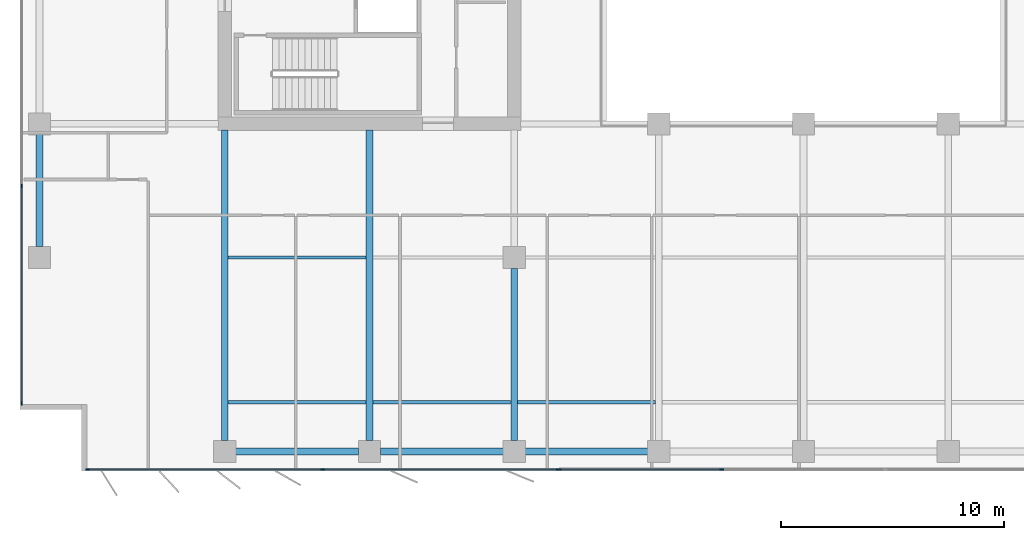
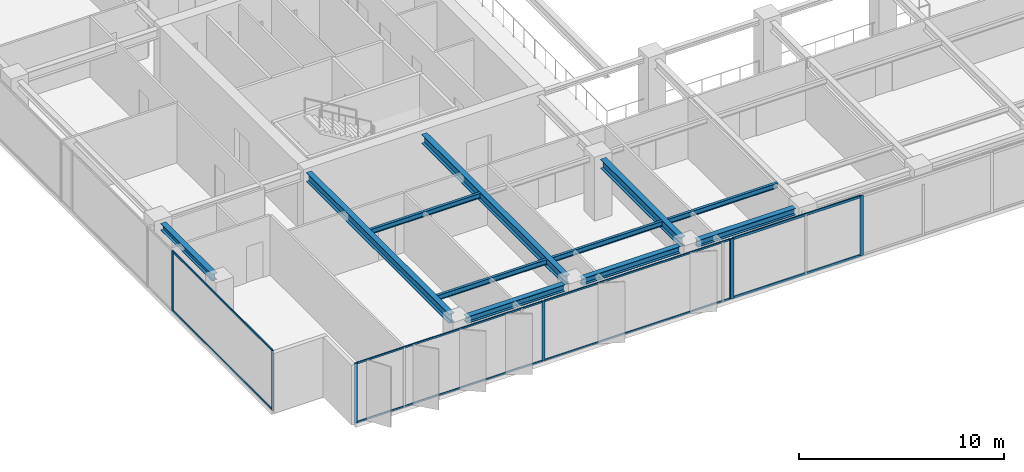
# One storey, part 2 of 22: 15 members, 11 beams, 3 elements without a shape of their own.
"""IFC4 building model written with IfcOpenShell, lengths in metres."""

from ifc_helpers import new_model, si_unit, direction, frame, origin, origin_2d, place, context, subcontext, project, spatial, rectangle, i_section, extrude, material, layer, layer_set, material_profile, profile_set, type_object, element, aggregate, save


model = new_model("IFC4")

# Units and contexts
model_context = context("Model", 3, precision=1e-05, world=origin(), true_north=direction((0.0, 1.0)))
body_context = subcontext(model_context, "Body", "Model", "MODEL_VIEW")
ifc_project = project(units=[si_unit("LENGTHUNIT", "METRE"), si_unit("AREAUNIT", "SQUARE_METRE"), si_unit("VOLUMEUNIT", "CUBIC_METRE"), si_unit("PLANEANGLEUNIT", "RADIAN"), si_unit("MASSUNIT", "GRAM", prefix="KILO")], contexts=[model_context])

# Site, building, storey
site_placement = place(None, origin())
site = spatial("IfcSite", under=ifc_project, at=site_placement, CompositionType="ELEMENT")
building_placement = place(site_placement, origin())
building = spatial("IfcBuilding", under=site, at=building_placement, Name="Putna Gate Headquarters", CompositionType="ELEMENT")
storey_placement = place(building_placement, frame((0.0, 0.0, 174.60009765625)))
storey = spatial("IfcBuildingStorey", under=building, at=storey_placement, Name="L43", CompositionType="ELEMENT", Elevation=174.60009765625)

# Beams
ifc_material_1 = material(Name="Steel S355J2", Category="steel")
ifc_material_profile_1 = material_profile(ifc_material_1, i_section(OverallWidth=0.300048828125, OverallDepth=0.550048828125, WebThickness=0.014892578125, FlangeThickness=0.029052734375, at=origin_2d()), Name="Steel S355J2")
ifc_profile_set_1 = profile_set([ifc_material_profile_1], Name="Steel S355J2")
beam_type_1 = type_object("IfcBeamType", Name="BM-GIRD-Z3-HEB550", PredefinedType="USERDEFINED", material=ifc_profile_set_1)
for number, where, z_axis, x_axis, name in (
    (1, (13.0, 4.76806640625, 3.296875), (0.0, 1.0, 0.0), (-1.0, 0.0, 0.0), "L43 South Primary Girder X13"),
    (2, (19.5, 4.76806640625, 3.296875), (0.0, 1.0, 0.0), (-1.0, 0.0, 0.0), "L43 South Primary Girder X19"),
):
    element("IfcBeam", number, at=place(storey_placement, frame(where, z_axis=z_axis, x_axis=x_axis)), inside=storey, type_object=beam_type_1, Name=name, ObjectType="GIRDER", PredefinedType="USERDEFINED", context=body_context, shape_type="SweptSolid", body=[
        extrude(i_section(OverallWidth=0.300048828125, OverallDepth=0.550048828125, WebThickness=0.014892578125, FlangeThickness=0.029052734375, at=origin_2d()), origin(), (0.0, 0.0, 1.0), 13.947021484375),
    ])
beam_1_placement = place(storey_placement, frame((26.0, 4.76806640625, 3.296875), z_axis=(0.0, 1.0, 0.0), x_axis=(-1.0, 0.0, 0.0)))
element("IfcBeam", 3, at=beam_1_placement, inside=storey, type_object=beam_type_1, Name="L43 South Primary Girder X26-1", ObjectType="GIRDER", PredefinedType="USERDEFINED", context=body_context, shape_type="SweptSolid", body=[
    extrude(i_section(OverallWidth=0.300048828125, OverallDepth=0.550048828125, WebThickness=0.014892578125, FlangeThickness=0.029052734375, at=origin_2d()), origin(), (0.0, 0.0, 1.0), 7.743896484375),
])
ifc_material_profile_2 = material_profile(ifc_material_1, i_section(OverallWidth=0.14990234375, OverallDepth=0.300048828125, WebThickness=0.007080078125, FlangeThickness=0.0107421875, at=origin_2d()), Name="Steel S355J2")
ifc_profile_set_2 = profile_set([ifc_material_profile_2], Name="Steel S355J2")
beam_type_2 = type_object("IfcBeamType", Name="BM-SEC-Z3-IPE300", PredefinedType="JOIST", material=ifc_profile_set_2)
for number, where, z_axis, x_axis, name in (
    (4, (13.154052734375, 6.5, 3.421875), (1.0, 0.0, 0.0), (0.0, 1.0, 0.0), "L43 South Secondary Beam 1"),
    (5, (13.154052734375, 13.0, 3.421875), (1.0, 0.0, 0.0), (0.0, 1.0, 0.0), "L43 South Secondary Beam 1"),
    (6, (19.654052734375, 6.5, 3.421875), (1.0, 0.0, 0.0), (0.0, 1.0, 0.0), "L43 South Secondary Beam 2"),
    (7, (26.154052734375, 6.5, 3.421875), (1.0, 0.0, 0.0), (0.0, 1.0, 0.0), "L43 South Secondary Beam 3"),
):
    element("IfcBeam", number, at=place(storey_placement, frame(where, z_axis=z_axis, x_axis=x_axis)), inside=storey, type_object=beam_type_2, Name=name, PredefinedType="JOIST", context=body_context, shape_type="SweptSolid", body=[
        extrude(i_section(OverallWidth=0.14990234375, OverallDepth=0.300048828125, WebThickness=0.007080078125, FlangeThickness=0.0107421875, at=origin_2d()), origin(), (0.0, 0.0, 1.0), 6.19189453125),
    ])
ifc_material_profile_3 = material_profile(ifc_material_1, i_section(OverallWidth=0.300048828125, OverallDepth=0.39990234375, WebThickness=0.013427734375, FlangeThickness=0.02392578125, at=origin_2d()), Name="Steel S355J2")
ifc_profile_set_3 = profile_set([ifc_material_profile_3], Name="Steel S355J2")
beam_type_3 = type_object("IfcBeamType", Name="BM-SPAN-Z3-HEB400", PredefinedType="SPANDREL", material=ifc_profile_set_3)
for number, where, z_axis, x_axis, name in (
    (8, (13.488037109375, 4.280029296875, 3.371826171875), (1.0, 0.0, 0.0), (0.0, 1.0, 0.0), "L43 S Perimeter Spandrel 1"),
    (9, (19.988037109375, 4.280029296875, 3.371826171875), (1.0, 0.0, 0.0), (0.0, 1.0, 0.0), "L43 S Perimeter Spandrel 2"),
    (10, (26.488037109375, 4.280029296875, 3.371826171875), (1.0, 0.0, 0.0), (0.0, 1.0, 0.0), "L43 S Perimeter Spandrel 3"),
):
    element("IfcBeam", number, at=place(storey_placement, frame(where, z_axis=z_axis, x_axis=x_axis)), inside=storey, type_object=beam_type_3, Name=name, PredefinedType="SPANDREL", context=body_context, shape_type="SweptSolid", body=[
        extrude(i_section(OverallWidth=0.300048828125, OverallDepth=0.39990234375, WebThickness=0.013427734375, FlangeThickness=0.02392578125, at=origin_2d()), origin(), (0.0, 0.0, 1.0), 5.52392578125),
    ])
beam_2_placement = place(storey_placement, frame((4.679931640625, 13.488037109375, 3.371826171875), z_axis=(0.0, 1.0, 0.0), x_axis=(-1.0, 0.0, 0.0)))
element("IfcBeam", 11, at=beam_2_placement, inside=storey, type_object=beam_type_3, Name="L43 W End Spandrel 1", PredefinedType="SPANDREL", context=body_context, shape_type="SweptSolid", body=[
    extrude(i_section(OverallWidth=0.300048828125, OverallDepth=0.39990234375, WebThickness=0.013427734375, FlangeThickness=0.02392578125, at=origin_2d()), origin(), (0.0, 0.0, 1.0), 5.02392578125),
])

# Curtain wall, members
ifc_material_2 = material(Name="Anodised bronze aluminium curtain wall", Category="aluminium")
ifc_layer_1 = layer(ifc_material_2, 0.159912109375)
ifc_layer_set_1 = layer_set([ifc_layer_1], Name="Anodised bronze aluminium curtain wall")
curtain_wall_type_1 = type_object("IfcCurtainWallType", Name="CW-SYS-Z3", PredefinedType="USERDEFINED", material=ifc_layer_set_1)
curtain_wall_1_placement = place(storey_placement, origin())
curtain_wall_1 = element("IfcCurtainWall", 12, at=curtain_wall_1_placement, inside=storey, type_object=curtain_wall_type_1, Name="L43 South West Curtain Wall", ObjectType="STICK CURTAIN WALL", PredefinedType="USERDEFINED")
ifc_material_3 = material(Name="Anodised bronze aluminium EN AW-6060", Category="aluminium")
ifc_material_profile_4 = material_profile(ifc_material_3, rectangle(XDim=0.06494140625, YDim=0.159912109375, at=origin_2d()), Name="Anodised bronze aluminium EN AW-6060")
ifc_profile_set_4 = profile_set([ifc_material_profile_4], Name="Anodised bronze aluminium EN AW-6060")
member_type_1 = type_object("IfcMemberType", Name="MULL-CWM-3", PredefinedType="MULLION", material=ifc_profile_set_4)
member_1_placement = place(storey_placement, frame((6.83251953125, 3.47998046875, 0.0), z_axis=(0.0, 0.0, 1.0), x_axis=(0.0, 1.0, 0.0)))
member_1 = element("IfcMember", 13, at=member_1_placement, type_object=member_type_1, Name="CWS-3 mullion 1", PredefinedType="MULLION", context=body_context, shape_type="SweptSolid", body=[
    extrude(rectangle(XDim=0.06494140625, YDim=0.159912109375, at=origin_2d()), origin(), (0.0, 0.0, 1.0), 3.572021484375),
])
member_2_placement = place(storey_placement, frame((17.39990234375, 3.47998046875, 0.0), z_axis=(0.0, 0.0, 1.0), x_axis=(0.0, 1.0, 0.0)))
member_2 = element("IfcMember", 14, at=member_2_placement, type_object=member_type_1, Name="CWS-3 mullion 2", PredefinedType="MULLION", context=body_context, shape_type="SweptSolid", body=[
    extrude(rectangle(XDim=0.06494140625, YDim=0.159912109375, at=origin_2d()), origin(), (0.0, 0.0, 1.0), 3.572021484375),
])
member_3_placement = place(storey_placement, frame((27.967529296875, 3.47998046875, 0.0), z_axis=(0.0, 0.0, 1.0), x_axis=(0.0, 1.0, 0.0)))
member_3 = element("IfcMember", 15, at=member_3_placement, type_object=member_type_1, Name="CWS-3 mullion 3", PredefinedType="MULLION", context=body_context, shape_type="SweptSolid", body=[
    extrude(rectangle(XDim=0.06494140625, YDim=0.159912109375, at=origin_2d()), origin(), (0.0, 0.0, 1.0), 3.572021484375),
])

curtain_wall_2_placement = place(storey_placement, origin())
curtain_wall_2 = element("IfcCurtainWall", 16, at=curtain_wall_2_placement, inside=storey, type_object=curtain_wall_type_1, Name="L43 West Curtain Wall", ObjectType="STICK CURTAIN WALL", PredefinedType="USERDEFINED")
member_4_placement = place(storey_placement, frame((3.8798828125, 6.4326171875, 0.0), z_axis=(0.0, 0.0, 1.0), x_axis=(-1.0, 0.0, 0.0)))
member_4 = element("IfcMember", 17, at=member_4_placement, type_object=member_type_1, Name="CWS-3 mullion 1", PredefinedType="MULLION", context=body_context, shape_type="SweptSolid", body=[
    extrude(rectangle(XDim=0.06494140625, YDim=0.159912109375, at=origin_2d()), origin(), (0.0, 0.0, 1.0), 3.572021484375),
])
member_5_placement = place(storey_placement, frame((3.8798828125, 16.199951171875, 0.0), z_axis=(0.0, 0.0, 1.0), x_axis=(-1.0, 0.0, 0.0)))
member_5 = element("IfcMember", 18, at=member_5_placement, type_object=member_type_1, Name="CWS-3 mullion 2", PredefinedType="MULLION", context=body_context, shape_type="SweptSolid", body=[
    extrude(rectangle(XDim=0.06494140625, YDim=0.159912109375, at=origin_2d()), origin(), (0.0, 0.0, 1.0), 3.572021484375),
])

ifc_layer_2 = layer(ifc_material_2, 0.179931640625)
ifc_layer_set_2 = layer_set([ifc_layer_2], Name="Anodised bronze aluminium curtain wall")
curtain_wall_type_2 = type_object("IfcCurtainWallType", Name="CW-SYS-ATR", PredefinedType="USERDEFINED", material=ifc_layer_set_2)
curtain_wall_3_placement = place(storey_placement, origin())
curtain_wall_3 = element("IfcCurtainWall", 19, at=curtain_wall_3_placement, inside=storey, type_object=curtain_wall_type_2, Name="L43 South Atrium Clear Glazing", ObjectType="ATRIUM GLAZING", PredefinedType="USERDEFINED")
ifc_material_profile_5 = material_profile(ifc_material_3, rectangle(XDim=0.070068359375, YDim=0.179931640625, at=origin_2d()), Name="Anodised bronze aluminium EN AW-6060")
ifc_profile_set_5 = profile_set([ifc_material_profile_5], Name="Anodised bronze aluminium EN AW-6060")
member_type_2 = type_object("IfcMemberType", Name="MULL-CWM-AT", PredefinedType="MULLION", material=ifc_profile_set_5)
member_6_placement = place(storey_placement, frame((28.034912109375, 3.47998046875, 0.0), z_axis=(0.0, 0.0, 1.0), x_axis=(0.0, 1.0, 0.0)))
member_6 = element("IfcMember", 20, at=member_6_placement, type_object=member_type_2, Name="CWS-AT mullion 1", PredefinedType="MULLION", context=body_context, shape_type="SweptSolid", body=[
    extrude(rectangle(XDim=0.070068359375, YDim=0.179931640625, at=origin_2d()), origin(), (0.0, 0.0, 1.0), 3.572021484375),
])
member_7_placement = place(storey_placement, frame((35.333251953125, 3.47998046875, 0.0), z_axis=(0.0, 0.0, 1.0), x_axis=(0.0, 1.0, 0.0)))
member_7 = element("IfcMember", 21, at=member_7_placement, type_object=member_type_2, Name="CWS-AT mullion 2", PredefinedType="MULLION", context=body_context, shape_type="SweptSolid", body=[
    extrude(rectangle(XDim=0.070068359375, YDim=0.179931640625, at=origin_2d()), origin(), (0.0, 0.0, 1.0), 3.572021484375),
])

# Member
ifc_material_profile_6 = material_profile(ifc_material_3, rectangle(XDim=0.06005859375, YDim=0.10009765625, at=origin_2d()), Name="Anodised bronze aluminium EN AW-6060")
ifc_profile_set_6 = profile_set([ifc_material_profile_6], Name="Anodised bronze aluminium EN AW-6060")
member_type_3 = type_object("IfcMemberType", Name="TRAN-CWT-3", PredefinedType="USERDEFINED", material=ifc_profile_set_6)
member_8_placement = place(storey_placement, frame((6.864990234375, 3.47998046875, 0.02978515625), z_axis=(1.0, 0.0, 0.0), x_axis=(0.0, 1.0, 0.0)))
member_8 = element("IfcMember", 22, at=member_8_placement, type_object=member_type_3, Name="CWS-3 transom 1.1", ObjectType="TRANSOM", PredefinedType="USERDEFINED", context=body_context, shape_type="SweptSolid", body=[
    extrude(rectangle(XDim=0.06005859375, YDim=0.10009765625, at=origin_2d()), origin(), (0.0, 0.0, 1.0), 10.50244140625),
])

member_9_placement = place(storey_placement, frame((6.864990234375, 3.47998046875, 3.5419921875), z_axis=(1.0, 0.0, 0.0), x_axis=(0.0, 1.0, 0.0)))
member_9 = element("IfcMember", 23, at=member_9_placement, type_object=member_type_3, Name="CWS-3 transom 1.2", ObjectType="TRANSOM", PredefinedType="USERDEFINED", context=body_context, shape_type="SweptSolid", body=[
    extrude(rectangle(XDim=0.06005859375, YDim=0.10009765625, at=origin_2d()), origin(), (0.0, 0.0, 1.0), 10.50244140625),
])

member_10_placement = place(storey_placement, frame((17.4326171875, 3.47998046875, 0.02978515625), z_axis=(1.0, 0.0, 0.0), x_axis=(0.0, 1.0, 0.0)))
member_10 = element("IfcMember", 24, at=member_10_placement, type_object=member_type_3, Name="CWS-3 transom 2.1", ObjectType="TRANSOM", PredefinedType="USERDEFINED", context=body_context, shape_type="SweptSolid", body=[
    extrude(rectangle(XDim=0.06005859375, YDim=0.10009765625, at=origin_2d()), origin(), (0.0, 0.0, 1.0), 10.50244140625),
])

member_11_placement = place(storey_placement, frame((17.4326171875, 3.47998046875, 3.5419921875), z_axis=(1.0, 0.0, 0.0), x_axis=(0.0, 1.0, 0.0)))
member_11 = element("IfcMember", 25, at=member_11_placement, type_object=member_type_3, Name="CWS-3 transom 2.2", ObjectType="TRANSOM", PredefinedType="USERDEFINED", context=body_context, shape_type="SweptSolid", body=[
    extrude(rectangle(XDim=0.06005859375, YDim=0.10009765625, at=origin_2d()), origin(), (0.0, 0.0, 1.0), 10.50244140625),
])

aggregate(curtain_wall_1, [member_1, member_2, member_3, member_8, member_9, member_10, member_11])

member_12_placement = place(storey_placement, frame((3.8798828125, 6.465087890625, 0.02978515625), z_axis=(0.0, 1.0, 0.0), x_axis=(-1.0, 0.0, 0.0)))
member_12 = element("IfcMember", 26, at=member_12_placement, type_object=member_type_3, Name="CWS-3 transom 1.1", ObjectType="TRANSOM", PredefinedType="USERDEFINED", context=body_context, shape_type="SweptSolid", body=[
    extrude(rectangle(XDim=0.06005859375, YDim=0.10009765625, at=origin_2d()), origin(), (0.0, 0.0, 1.0), 9.702392578125),
])

member_13_placement = place(storey_placement, frame((3.8798828125, 6.465087890625, 3.5419921875), z_axis=(0.0, 1.0, 0.0), x_axis=(-1.0, 0.0, 0.0)))
member_13 = element("IfcMember", 27, at=member_13_placement, type_object=member_type_3, Name="CWS-3 transom 1.2", ObjectType="TRANSOM", PredefinedType="USERDEFINED", context=body_context, shape_type="SweptSolid", body=[
    extrude(rectangle(XDim=0.06005859375, YDim=0.10009765625, at=origin_2d()), origin(), (0.0, 0.0, 1.0), 9.702392578125),
])

aggregate(curtain_wall_2, [member_4, member_5, member_12, member_13])

ifc_material_profile_7 = material_profile(ifc_material_3, rectangle(XDim=0.070068359375, YDim=0.139892578125, at=origin_2d()), Name="Anodised bronze aluminium EN AW-6060")
ifc_profile_set_7 = profile_set([ifc_material_profile_7], Name="Anodised bronze aluminium EN AW-6060")
member_type_4 = type_object("IfcMemberType", Name="TRAN-CWT-AT", PredefinedType="USERDEFINED", material=ifc_profile_set_7)
member_14_placement = place(storey_placement, frame((28.070068359375, 3.47998046875, 0.034912109375), z_axis=(1.0, 0.0, 0.0), x_axis=(0.0, 1.0, 0.0)))
member_14 = element("IfcMember", 28, at=member_14_placement, type_object=member_type_4, Name="CWS-AT transom 1.1", ObjectType="TRANSOM", PredefinedType="USERDEFINED", context=body_context, shape_type="SweptSolid", body=[
    extrude(rectangle(XDim=0.070068359375, YDim=0.139892578125, at=origin_2d()), origin(), (0.0, 0.0, 1.0), 7.228271484375),
])

member_15_placement = place(storey_placement, frame((28.070068359375, 3.47998046875, 3.536865234375), z_axis=(1.0, 0.0, 0.0), x_axis=(0.0, 1.0, 0.0)))
member_15 = element("IfcMember", 29, at=member_15_placement, type_object=member_type_4, Name="CWS-AT transom 1.2", ObjectType="TRANSOM", PredefinedType="USERDEFINED", context=body_context, shape_type="SweptSolid", body=[
    extrude(rectangle(XDim=0.070068359375, YDim=0.139892578125, at=origin_2d()), origin(), (0.0, 0.0, 1.0), 7.228271484375),
])

aggregate(curtain_wall_3, [member_6, member_7, member_14, member_15])

save(model, "model.ifc")
